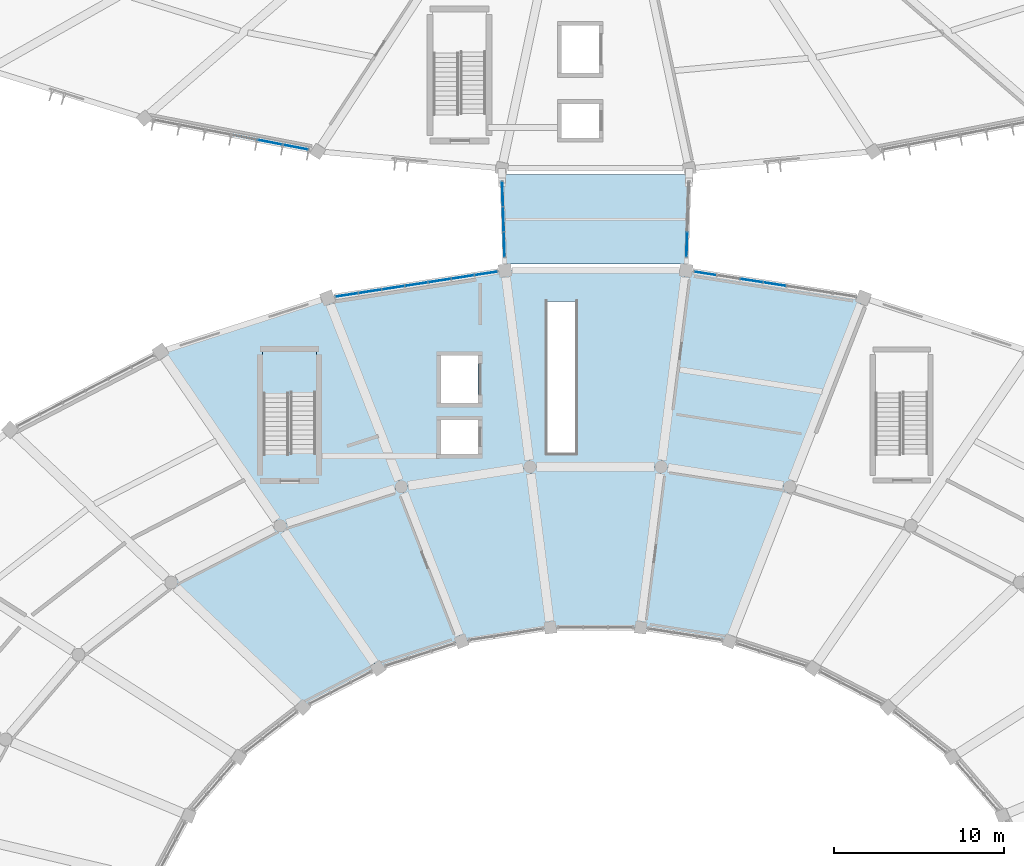
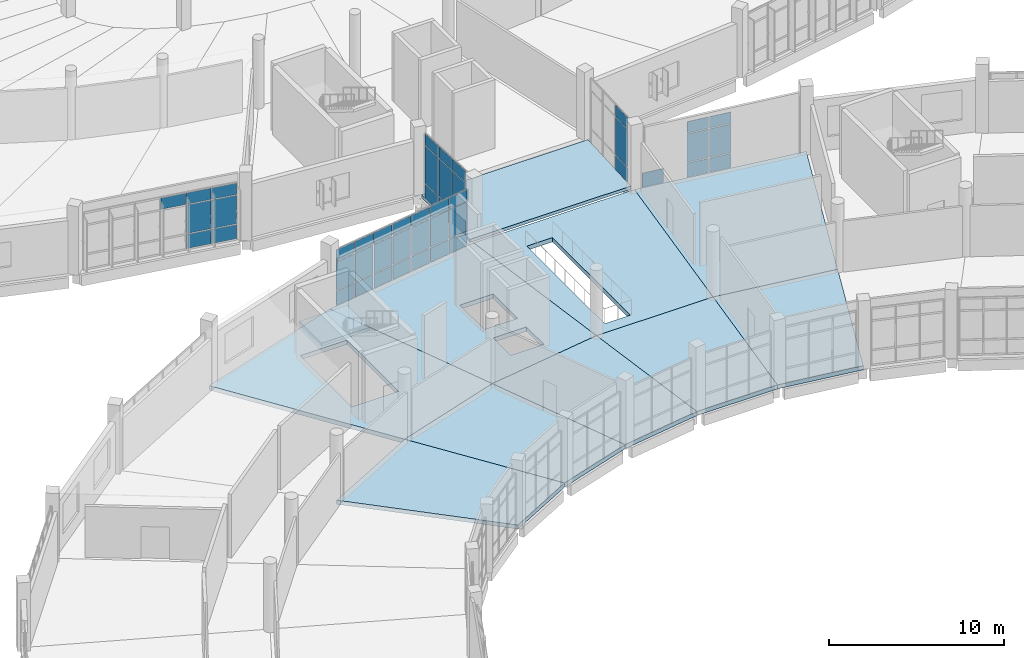
# One storey, part 93 of 179: 47 plates, 11 slabs, 6 elements without a shape of their own.
"""IFC4 building model written with IfcOpenShell, lengths in metres."""

from ifc_helpers import new_model, si_unit, direction, frame, origin, origin_2d, place, context, subcontext, project, spatial, polyline, rectangle, outline, extrude, material, layer, layer_set, type_object, element, aggregate, save


model = new_model("IFC4")

# Units and contexts
model_context = context("Model", 3, precision=1e-05, world=origin(), true_north=direction((0.0, 1.0)))
body_context = subcontext(model_context, "Body", "Model", "MODEL_VIEW")
ifc_project = project(units=[si_unit("LENGTHUNIT", "METRE"), si_unit("AREAUNIT", "SQUARE_METRE"), si_unit("VOLUMEUNIT", "CUBIC_METRE"), si_unit("PLANEANGLEUNIT", "RADIAN"), si_unit("MASSUNIT", "GRAM", prefix="KILO")], contexts=[model_context])

# Site, building, storey
site_placement = place(None, origin())
site = spatial("IfcSite", under=ifc_project, at=site_placement, CompositionType="ELEMENT")
building_placement = place(site_placement, origin())
building = spatial("IfcBuilding", under=site, at=building_placement, Name="Corvandel Quay Wholesale Market", CompositionType="ELEMENT")
storey_placement = place(building_placement, frame((0.0, 0.0, 6.0)))
storey = spatial("IfcBuildingStorey", under=building, at=storey_placement, Name="L01", CompositionType="ELEMENT", Elevation=6.0)

# Curtain wall, plates
ifc_material_1 = material(Name="Bronze anodised aluminium and low-E insulated glazing", Category="aluminium")
ifc_layer_1 = layer(ifc_material_1, 0.162109375)
ifc_layer_set_1 = layer_set([ifc_layer_1], Name="Bronze anodised aluminium and low-E insulated glazing")
curtain_wall_type_1 = type_object("IfcCurtainWallType", Name="Stick Curtain Wall System CW11 H3990", PredefinedType="NOTDEFINED", material=ifc_layer_set_1)
curtain_wall_1_placement = place(storey_placement, origin())
curtain_wall_1 = element("IfcCurtainWall", 1, at=curtain_wall_1_placement, inside=storey, type_object=curtain_wall_type_1, Name="Curtain Wall CW-0018", PredefinedType="NOTDEFINED")
ifc_material_2 = material(Name="Solar-control low-E insulated glazing", Category="glass")
ifc_layer_2 = layer(ifc_material_2, 0.0400390625)
ifc_layer_set_2 = layer_set([ifc_layer_2], Name="Solar-control low-E insulated glazing")
plate_type_1 = type_object("IfcPlateType", Name="Ceramic Fritted Spandrel Panel PN03 40mm", PredefinedType="CURTAIN_PANEL", material=ifc_layer_set_2)
plate_1_placement = place(storey_placement, frame((124.534912109375, 83.193115234375, 3.1298828125), z_axis=(0.0, 0.0, 1.0), x_axis=(-0.98825506746, 0.152813355565, 0.0)))
plate_1 = element("IfcPlate", 2, at=plate_1_placement, type_object=plate_type_1, Name="Glazing Panel CW-0018-P03-2", PredefinedType="CURTAIN_PANEL", context=body_context, shape_type="SweptSolid", body=[
    extrude(rectangle(XDim=1.314453125, YDim=0.0400390625, at=origin_2d()), origin(), (0.0, 0.0, 1.0), 0.7900390625),
])
plate_2_placement = place(storey_placement, frame((123.171875, 83.40380859375, 3.1298828125), z_axis=(0.0, 0.0, 1.0), x_axis=(-0.98825506746, 0.152813355565, 0.0)))
plate_2 = element("IfcPlate", 3, at=plate_2_placement, type_object=plate_type_1, Name="Glazing Panel CW-0018-P04-2", PredefinedType="CURTAIN_PANEL", context=body_context, shape_type="SweptSolid", body=[
    extrude(rectangle(XDim=1.314453125, YDim=0.0400390625, at=origin_2d()), origin(), (0.0, 0.0, 1.0), 0.7900390625),
])

ifc_layer_3 = layer(ifc_material_1, 0.18603515625)
ifc_layer_set_3 = layer_set([ifc_layer_3], Name="Bronze anodised aluminium and low-E insulated glazing")
curtain_wall_type_2 = type_object("IfcCurtainWallType", Name="Stick Curtain Wall System CW13 H4170", PredefinedType="NOTDEFINED", material=ifc_layer_set_3)
curtain_wall_2_placement = place(storey_placement, origin())
curtain_wall_2 = element("IfcCurtainWall", 4, at=curtain_wall_2_placement, inside=storey, type_object=curtain_wall_type_2, Name="Curtain Wall CW-0024", PredefinedType="NOTDEFINED")
plate_3_placement = place(storey_placement, frame((107.5546875, 83.82568359375, 3.1298828125), z_axis=(0.0, 0.0, 1.0), x_axis=(0.98825506746, 0.152813355565, 0.0)))
plate_3 = element("IfcPlate", 5, at=plate_3_placement, type_object=plate_type_1, Name="Glazing Panel CW-0024-P00-2", PredefinedType="CURTAIN_PANEL", context=body_context, shape_type="SweptSolid", body=[
    extrude(rectangle(XDim=1.314453125, YDim=0.0400390625, at=origin_2d()), origin(), (0.0, 0.0, 1.0), 0.7900390625),
])
plate_4_placement = place(storey_placement, frame((106.19140625, 83.61474609375, 3.1298828125), z_axis=(0.0, 0.0, 1.0), x_axis=(0.98825506746, 0.152813355565, 0.0)))
plate_4 = element("IfcPlate", 6, at=plate_4_placement, type_object=plate_type_1, Name="Glazing Panel CW-0024-P01-2", PredefinedType="CURTAIN_PANEL", context=body_context, shape_type="SweptSolid", body=[
    extrude(rectangle(XDim=1.314453125, YDim=0.0400390625, at=origin_2d()), origin(), (0.0, 0.0, 1.0), 0.7900390625),
])
plate_5_placement = place(storey_placement, frame((104.828125, 83.40380859375, 3.1298828125), z_axis=(0.0, 0.0, 1.0), x_axis=(0.98825506746, 0.152813355565, 0.0)))
plate_5 = element("IfcPlate", 7, at=plate_5_placement, type_object=plate_type_1, Name="Glazing Panel CW-0024-P02-2", PredefinedType="CURTAIN_PANEL", context=body_context, shape_type="SweptSolid", body=[
    extrude(rectangle(XDim=1.314453125, YDim=0.0400390625, at=origin_2d()), origin(), (0.0, 0.0, 1.0), 0.7900390625),
])
plate_6_placement = place(storey_placement, frame((103.465087890625, 83.193115234375, 3.1298828125), z_axis=(0.0, 0.0, 1.0), x_axis=(0.98825506746, 0.152813355565, 0.0)))
plate_6 = element("IfcPlate", 8, at=plate_6_placement, type_object=plate_type_1, Name="Glazing Panel CW-0024-P03-2", PredefinedType="CURTAIN_PANEL", context=body_context, shape_type="SweptSolid", body=[
    extrude(rectangle(XDim=1.314453125, YDim=0.0400390625, at=origin_2d()), origin(), (0.0, 0.0, 1.0), 0.7900390625),
])
plate_7_placement = place(storey_placement, frame((102.101806640625, 82.982177734375, 3.1298828125), z_axis=(0.0, 0.0, 1.0), x_axis=(0.98825506746, 0.152813355565, 0.0)))
plate_7 = element("IfcPlate", 9, at=plate_7_placement, type_object=plate_type_1, Name="Glazing Panel CW-0024-P04-2", PredefinedType="CURTAIN_PANEL", context=body_context, shape_type="SweptSolid", body=[
    extrude(rectangle(XDim=1.314453125, YDim=0.0400390625, at=origin_2d()), origin(), (0.0, 0.0, 1.0), 0.7900390625),
])
plate_8_placement = place(storey_placement, frame((100.738525390625, 82.771240234375, 3.1298828125), z_axis=(0.0, 0.0, 1.0), x_axis=(0.98825506746, 0.152813355565, 0.0)))
plate_8 = element("IfcPlate", 10, at=plate_8_placement, type_object=plate_type_1, Name="Glazing Panel CW-0024-P05-2", PredefinedType="CURTAIN_PANEL", context=body_context, shape_type="SweptSolid", body=[
    extrude(rectangle(XDim=1.314453125, YDim=0.0400390625, at=origin_2d()), origin(), (0.0, 0.0, 1.0), 0.7900390625),
])
plate_9_placement = place(storey_placement, frame((99.375244140625, 82.560302734375, 3.1298828125), z_axis=(0.0, 0.0, 1.0), x_axis=(0.98825506746, 0.152813355565, 0.0)))
plate_9 = element("IfcPlate", 11, at=plate_9_placement, type_object=plate_type_1, Name="Glazing Panel CW-0024-P06-2", PredefinedType="CURTAIN_PANEL", context=body_context, shape_type="SweptSolid", body=[
    extrude(rectangle(XDim=1.314453125, YDim=0.0400390625, at=origin_2d()), origin(), (0.0, 0.0, 1.0), 0.7900390625),
])

ifc_layer_4 = layer(ifc_material_1, 0.18603515625)
ifc_layer_set_4 = layer_set([ifc_layer_4], Name="Bronze anodised aluminium and low-E insulated glazing")
curtain_wall_type_3 = type_object("IfcCurtainWallType", Name="Stick Curtain Wall System CW28 H5520", PredefinedType="NOTDEFINED", material=ifc_layer_set_4)
curtain_wall_3_placement = place(storey_placement, origin())
curtain_wall_3 = element("IfcCurtainWall", 12, at=curtain_wall_3_placement, inside=storey, type_object=curtain_wall_type_3, Name="Curtain Wall CW-0109", PredefinedType="NOTDEFINED")
plate_10_placement = place(storey_placement, frame((93.330322265625, 91.832763671875, 3.1298828125), z_axis=(0.0, 0.0, 1.0), x_axis=(-0.981991701121, 0.188924055984, 0.0)))
plate_10 = element("IfcPlate", 13, at=plate_10_placement, type_object=plate_type_1, Name="Glazing Panel CW-0109-P03-2", PredefinedType="CURTAIN_PANEL", context=body_context, shape_type="SweptSolid", body=[
    extrude(rectangle(XDim=1.484619140625, YDim=0.0400390625, at=origin_2d()), origin(), (0.0, 0.0, 1.0), 0.7900390625),
])
plate_11_placement = place(storey_placement, frame((94.85205078125, 91.5400390625, 3.1298828125), z_axis=(0.0, 0.0, 1.0), x_axis=(-0.981991701121, 0.188924055984, 0.0)))
plate_11 = element("IfcPlate", 14, at=plate_11_placement, type_object=plate_type_1, Name="Glazing Panel CW-0109-P04-2", PredefinedType="CURTAIN_PANEL", context=body_context, shape_type="SweptSolid", body=[
    extrude(rectangle(XDim=1.484619140625, YDim=0.0400390625, at=origin_2d()), origin(), (0.0, 0.0, 1.0), 0.7900390625),
])
plate_12_placement = place(storey_placement, frame((96.373779296875, 91.247314453125, 3.1298828125), z_axis=(0.0, 0.0, 1.0), x_axis=(-0.981991701121, 0.188924055984, 0.0)))
plate_12 = element("IfcPlate", 15, at=plate_12_placement, type_object=plate_type_1, Name="Glazing Panel CW-0109-P05-2", PredefinedType="CURTAIN_PANEL", context=body_context, shape_type="SweptSolid", body=[
    extrude(rectangle(XDim=1.484619140625, YDim=0.0400390625, at=origin_2d()), origin(), (0.0, 0.0, 1.0), 0.7900390625),
])

ifc_layer_5 = layer(ifc_material_1, 0.162109375)
ifc_layer_set_5 = layer_set([ifc_layer_5], Name="Bronze anodised aluminium and low-E insulated glazing")
curtain_wall_type_4 = type_object("IfcCurtainWallType", Name="Stick Curtain Wall System CW21 H4890", PredefinedType="NOTDEFINED", material=ifc_layer_set_5)
curtain_wall_4_placement = place(storey_placement, origin())
curtain_wall_4 = element("IfcCurtainWall", 16, at=curtain_wall_4_placement, inside=storey, type_object=curtain_wall_type_4, Name="Curtain Wall CW-0168", PredefinedType="NOTDEFINED")
plate_13_placement = place(storey_placement, frame((108.630859375, 85.530517578125, 3.7275390625), z_axis=(0.0, 0.0, 1.0), x_axis=(-0.032806302436, 0.999461728392, 0.0)))
plate_13 = element("IfcPlate", 17, at=plate_13_placement, type_object=plate_type_1, Name="Glazing Panel CW-0168-P00-2", PredefinedType="CURTAIN_PANEL", context=body_context, shape_type="SweptSolid", body=[
    extrude(rectangle(XDim=1.422607421875, YDim=0.0400390625, at=origin_2d()), origin(), (0.0, 0.0, 1.0), 0.794921875),
])
plate_14_placement = place(storey_placement, frame((108.58203125, 87.012451171875, 3.7275390625), z_axis=(0.0, 0.0, 1.0), x_axis=(-0.032806302436, 0.999461728392, 0.0)))
plate_14 = element("IfcPlate", 18, at=plate_14_placement, type_object=plate_type_1, Name="Glazing Panel CW-0168-P01-2", PredefinedType="CURTAIN_PANEL", context=body_context, shape_type="SweptSolid", body=[
    extrude(rectangle(XDim=1.422607421875, YDim=0.0400390625, at=origin_2d()), origin(), (0.0, 0.0, 1.0), 0.794921875),
])
plate_15_placement = place(storey_placement, frame((108.533447265625, 88.494384765625, 3.7275390625), z_axis=(0.0, 0.0, 1.0), x_axis=(-0.032806302436, 0.999461728392, 0.0)))
plate_15 = element("IfcPlate", 19, at=plate_15_placement, type_object=plate_type_1, Name="Glazing Panel CW-0168-P02-2", PredefinedType="CURTAIN_PANEL", context=body_context, shape_type="SweptSolid", body=[
    extrude(rectangle(XDim=1.422607421875, YDim=0.0400390625, at=origin_2d()), origin(), (0.0, 0.0, 1.0), 0.794921875),
])

# Curtain wall, plate
ifc_layer_6 = layer(ifc_material_1, 0.174072265625)
ifc_layer_set_6 = layer_set([ifc_layer_6], Name="Bronze anodised aluminium and low-E insulated glazing")
curtain_wall_type_5 = type_object("IfcCurtainWallType", Name="Stick Curtain Wall System CW22 H4980", PredefinedType="NOTDEFINED", material=ifc_layer_set_6)
curtain_wall_5_placement = place(storey_placement, origin())
curtain_wall_5 = element("IfcCurtainWall", 20, at=curtain_wall_5_placement, inside=storey, type_object=curtain_wall_type_5, Name="Curtain Wall CW-0169", PredefinedType="NOTDEFINED")
plate_16_placement = place(storey_placement, frame((119.369140625, 85.530517578125, 3.7275390625), z_axis=(0.0, 0.0, 1.0), x_axis=(0.032806302436, 0.999461728392, 0.0)))
plate_16 = element("IfcPlate", 21, at=plate_16_placement, type_object=plate_type_1, Name="Glazing Panel CW-0169-P00-2", PredefinedType="CURTAIN_PANEL", context=body_context, shape_type="SweptSolid", body=[
    extrude(rectangle(XDim=1.422607421875, YDim=0.0400390625, at=origin_2d()), origin(), (0.0, 0.0, 1.0), 0.794921875),
])

# Slabs
ifc_material_3 = material(Name="Precast concrete C45/55", Category="concrete")
ifc_layer_7 = layer(ifc_material_3, 0.219970703125)
ifc_layer_set_7 = layer_set([ifc_layer_7], Name="Precast concrete C45/55")
slab_type_1 = type_object("IfcSlabType", Name="Composite Precast Office Floor Slab 220", PredefinedType="FLOOR", material=ifc_layer_set_7)
slab_1_placement = place(storey_placement, frame((0.0, 0.0, -0.219970703125)))
element("IfcSlab", 22, at=slab_1_placement, inside=storey, type_object=slab_type_1, Name="Slab SLB-0475", PredefinedType="FLOOR", context=body_context, shape_type="SweptSolid", body=[
    extrude(outline(polyline([(108.66796875, 84.389892578125), (108.49609375, 89.635009765625), (119.50390625, 89.635009765625), (119.33203125, 84.389892578125), (108.66796875, 84.389892578125)])), origin(), (0.0, 0.0, 1.0), 0.219970703125),
])
ifc_material_4 = material(Name="Concrete C40/50", Category="concrete")
ifc_layer_8 = layer(ifc_material_4, 0.280029296875)
ifc_layer_set_8 = layer_set([ifc_layer_8], Name="Concrete C40/50")
slab_type_2 = type_object("IfcSlabType", Name="Composite Sorting Gallery Floor Slab 280", PredefinedType="FLOOR", material=ifc_layer_set_8)
slab_2_placement = place(storey_placement, frame((0.0, 0.0, -0.280029296875)))
element("IfcSlab", 23, at=slab_2_placement, inside=storey, type_object=slab_type_2, Name="Slab SLB-0035", PredefinedType="FLOOR", context=body_context, shape_type="SweptSolid", body=[
    extrude(outline(polyline([(121.8759765625, 62.193115234375), (116.658935546875, 63.0), (117.85595703125, 72.449951171875), (125.419921875, 71.280029296875), (121.8759765625, 62.193115234375)])), origin(), (0.0, 0.0, 1.0), 0.280029296875),
])
slab_3_placement = place(storey_placement, frame((0.0, 0.0, -0.280029296875)))
element("IfcSlab", 24, at=slab_3_placement, inside=storey, type_object=slab_type_2, Name="Slab SLB-0040", PredefinedType="FLOOR", context=body_context, shape_type="SweptSolid", body=[
    extrude(outline(polyline([(116.658935546875, 63.0), (111.341064453125, 63.0), (110.14404296875, 72.449951171875), (117.85595703125, 72.449951171875), (116.658935546875, 63.0)])), origin(), (0.0, 0.0, 1.0), 0.280029296875),
])
slab_4_placement = place(storey_placement, frame((0.0, 0.0, -0.280029296875)))
element("IfcSlab", 25, at=slab_4_placement, inside=storey, type_object=slab_type_2, Name="Slab SLB-0045", PredefinedType="FLOOR", context=body_context, shape_type="SweptSolid", body=[
    extrude(outline(polyline([(111.341064453125, 63.0), (106.1240234375, 62.193115234375), (102.580078125, 71.280029296875), (110.14404296875, 72.449951171875), (111.341064453125, 63.0)])), origin(), (0.0, 0.0, 1.0), 0.280029296875),
])
slab_5_placement = place(storey_placement, frame((0.0, 0.0, -0.280029296875)))
element("IfcSlab", 26, at=slab_5_placement, inside=storey, type_object=slab_type_2, Name="Slab SLB-0050", PredefinedType="FLOOR", context=body_context, shape_type="SweptSolid", body=[
    extrude(outline(polyline([(106.1240234375, 62.193115234375), (101.2109375, 60.610107421875), (95.4560546875, 68.98388671875), (102.580078125, 71.280029296875), (106.1240234375, 62.193115234375)])), origin(), (0.0, 0.0, 1.0), 0.280029296875),
])
slab_6_placement = place(storey_placement, frame((0.0, 0.0, -0.280029296875)))
element("IfcSlab", 27, at=slab_6_placement, inside=storey, type_object=slab_type_2, Name="Slab SLB-0055", PredefinedType="FLOOR", context=body_context, shape_type="SweptSolid", body=[
    extrude(outline(polyline([(101.2109375, 60.610107421875), (96.7890625, 58.31201171875), (89.04296875, 65.652099609375), (95.4560546875, 68.98388671875), (101.2109375, 60.610107421875)])), origin(), (0.0, 0.0, 1.0), 0.280029296875),
])
ifc_layer_9 = layer(ifc_material_4, 0.300048828125)
ifc_layer_set_9 = layer_set([ifc_layer_9], Name="Concrete C40/50")
slab_type_3 = type_object("IfcSlabType", Name="Composite Trading Gallery Floor Slab 300", PredefinedType="FLOOR", material=ifc_layer_set_9)
slab_7_placement = place(storey_placement, frame((0.0, 0.0, -0.300048828125)))
element("IfcSlab", 28, at=slab_7_placement, inside=storey, type_object=slab_type_3, Name="Slab SLB-0034", PredefinedType="FLOOR", context=body_context, shape_type="SweptSolid", body=[
    extrude(outline(polyline([(125.419921875, 71.280029296875), (117.85595703125, 72.449951171875), (119.319091796875, 84.0), (129.7509765625, 82.385986328125), (125.419921875, 71.280029296875)])), origin(), (0.0, 0.0, 1.0), 0.300048828125),
])
slab_8_placement = place(storey_placement, frame((0.0, 0.0, -0.300048828125)))
element("IfcSlab", 29, at=slab_8_placement, inside=storey, type_object=slab_type_3, Name="Slab SLB-0039", PredefinedType="FLOOR", context=body_context, shape_type="SweptSolid", body=[
    extrude(outline(polyline([(117.85595703125, 72.449951171875), (110.14404296875, 72.449951171875), (108.680908203125, 84.0), (119.319091796875, 84.0), (117.85595703125, 72.449951171875)]), holes=[polyline([(112.85009765625, 73.25), (112.85009765625, 82.179931640625), (111.14990234375, 82.179931640625), (111.14990234375, 73.25), (112.85009765625, 73.25)])]), origin(), (0.0, 0.0, 1.0), 0.300048828125),
])
slab_9_placement = place(storey_placement, frame((0.0, 0.0, -0.300048828125)))
element("IfcSlab", 30, at=slab_9_placement, inside=storey, type_object=slab_type_3, Name="Slab SLB-0044", PredefinedType="FLOOR", context=body_context, shape_type="SweptSolid", body=[
    extrude(outline(polyline([(110.14404296875, 72.449951171875), (102.580078125, 71.280029296875), (98.2490234375, 82.385986328125), (108.680908203125, 84.0), (110.14404296875, 72.449951171875)]), holes=[polyline([(107.10009765625, 73.199951171875), (107.10009765625, 75.199951171875), (104.89990234375, 75.199951171875), (104.89990234375, 73.199951171875), (107.10009765625, 73.199951171875)]), polyline([(107.10009765625, 76.199951171875), (107.10009765625, 79.0), (104.89990234375, 79.0), (104.89990234375, 76.199951171875), (107.10009765625, 76.199951171875)])]), origin(), (0.0, 0.0, 1.0), 0.300048828125),
])
slab_10_placement = place(storey_placement, frame((0.0, 0.0, -0.300048828125)))
element("IfcSlab", 31, at=slab_10_placement, inside=storey, type_object=slab_type_3, Name="Slab SLB-0049", PredefinedType="FLOOR", context=body_context, shape_type="SweptSolid", body=[
    extrude(outline(polyline([(102.580078125, 71.280029296875), (95.4560546875, 68.98388671875), (88.4208984375, 79.219970703125), (98.2490234375, 82.385986328125), (102.580078125, 71.280029296875)]), holes=[polyline([(97.550048828125, 73.300048828125), (97.550048828125, 79.199951171875), (94.449951171875, 79.199951171875), (94.449951171875, 73.300048828125), (97.550048828125, 73.300048828125)])]), origin(), (0.0, 0.0, 1.0), 0.300048828125),
])

# Plate
ifc_layer_10 = layer(ifc_material_2, 0.028076171875)
ifc_layer_set_10 = layer_set([ifc_layer_10], Name="Solar-control low-E insulated glazing")
plate_type_2 = type_object("IfcPlateType", Name="Double Low-E Vision Panel PN01 28mm", PredefinedType="CURTAIN_PANEL", material=ifc_layer_set_10)
plate_17_placement = place(storey_placement, frame((124.534912109375, 83.193115234375, 0.02978515625), z_axis=(0.0, 0.0, 1.0), x_axis=(-0.98825506746, 0.152813355565, 0.0)))
plate_17 = element("IfcPlate", 32, at=plate_17_placement, type_object=plate_type_2, Name="Glazing Panel CW-0018-P03-0", PredefinedType="CURTAIN_PANEL", context=body_context, shape_type="SweptSolid", body=[
    extrude(rectangle(XDim=1.314453125, YDim=0.028076171875, at=origin_2d()), origin(), (0.0, 0.0, 1.0), 0.989990234375),
])

plate_18_placement = place(storey_placement, frame((124.534912109375, 83.193115234375, 1.080078125), z_axis=(0.0, 0.0, 1.0), x_axis=(-0.98825506746, 0.152813355565, 0.0)))
plate_18 = element("IfcPlate", 33, at=plate_18_placement, type_object=plate_type_2, Name="Glazing Panel CW-0018-P03-1", PredefinedType="CURTAIN_PANEL", context=body_context, shape_type="SweptSolid", body=[
    extrude(rectangle(XDim=1.314453125, YDim=0.028076171875, at=origin_2d()), origin(), (0.0, 0.0, 1.0), 1.989990234375),
])

plate_19_placement = place(storey_placement, frame((123.171875, 83.40380859375, 0.02978515625), z_axis=(0.0, 0.0, 1.0), x_axis=(-0.98825506746, 0.152813355565, 0.0)))
plate_19 = element("IfcPlate", 34, at=plate_19_placement, type_object=plate_type_2, Name="Glazing Panel CW-0018-P04-0", PredefinedType="CURTAIN_PANEL", context=body_context, shape_type="SweptSolid", body=[
    extrude(rectangle(XDim=1.314453125, YDim=0.028076171875, at=origin_2d()), origin(), (0.0, 0.0, 1.0), 0.989990234375),
])

plate_20_placement = place(storey_placement, frame((123.171875, 83.40380859375, 1.080078125), z_axis=(0.0, 0.0, 1.0), x_axis=(-0.98825506746, 0.152813355565, 0.0)))
plate_20 = element("IfcPlate", 35, at=plate_20_placement, type_object=plate_type_2, Name="Glazing Panel CW-0018-P04-1", PredefinedType="CURTAIN_PANEL", context=body_context, shape_type="SweptSolid", body=[
    extrude(rectangle(XDim=1.314453125, YDim=0.028076171875, at=origin_2d()), origin(), (0.0, 0.0, 1.0), 1.989990234375),
])

plate_21_placement = place(storey_placement, frame((120.4453125, 83.82568359375, 0.02978515625), z_axis=(0.0, 0.0, 1.0), x_axis=(-0.98825506746, 0.152813355565, 0.0)))
plate_21 = element("IfcPlate", 36, at=plate_21_placement, type_object=plate_type_2, Name="Glazing Panel CW-0018-P06-0", PredefinedType="CURTAIN_PANEL", context=body_context, shape_type="SweptSolid", body=[
    extrude(rectangle(XDim=1.314453125, YDim=0.028076171875, at=origin_2d()), origin(), (0.0, 0.0, 1.0), 0.989990234375),
])

aggregate(curtain_wall_1, [plate_17, plate_18, plate_1, plate_19, plate_20, plate_2, plate_21])

plate_22_placement = place(storey_placement, frame((107.5546875, 83.82568359375, 0.02978515625), z_axis=(0.0, 0.0, 1.0), x_axis=(0.98825506746, 0.152813355565, 0.0)))
plate_22 = element("IfcPlate", 37, at=plate_22_placement, type_object=plate_type_2, Name="Glazing Panel CW-0024-P00-0", PredefinedType="CURTAIN_PANEL", context=body_context, shape_type="SweptSolid", body=[
    extrude(rectangle(XDim=1.314453125, YDim=0.028076171875, at=origin_2d()), origin(), (0.0, 0.0, 1.0), 0.989990234375),
])

plate_23_placement = place(storey_placement, frame((107.5546875, 83.82568359375, 1.080078125), z_axis=(0.0, 0.0, 1.0), x_axis=(0.98825506746, 0.152813355565, 0.0)))
plate_23 = element("IfcPlate", 38, at=plate_23_placement, type_object=plate_type_2, Name="Glazing Panel CW-0024-P00-1", PredefinedType="CURTAIN_PANEL", context=body_context, shape_type="SweptSolid", body=[
    extrude(rectangle(XDim=1.314453125, YDim=0.028076171875, at=origin_2d()), origin(), (0.0, 0.0, 1.0), 1.989990234375),
])

plate_24_placement = place(storey_placement, frame((106.19140625, 83.61474609375, 0.02978515625), z_axis=(0.0, 0.0, 1.0), x_axis=(0.98825506746, 0.152813355565, 0.0)))
plate_24 = element("IfcPlate", 39, at=plate_24_placement, type_object=plate_type_2, Name="Glazing Panel CW-0024-P01-0", PredefinedType="CURTAIN_PANEL", context=body_context, shape_type="SweptSolid", body=[
    extrude(rectangle(XDim=1.314453125, YDim=0.028076171875, at=origin_2d()), origin(), (0.0, 0.0, 1.0), 0.989990234375),
])

plate_25_placement = place(storey_placement, frame((106.19140625, 83.61474609375, 1.080078125), z_axis=(0.0, 0.0, 1.0), x_axis=(0.98825506746, 0.152813355565, 0.0)))
plate_25 = element("IfcPlate", 40, at=plate_25_placement, type_object=plate_type_2, Name="Glazing Panel CW-0024-P01-1", PredefinedType="CURTAIN_PANEL", context=body_context, shape_type="SweptSolid", body=[
    extrude(rectangle(XDim=1.314453125, YDim=0.028076171875, at=origin_2d()), origin(), (0.0, 0.0, 1.0), 1.989990234375),
])

plate_26_placement = place(storey_placement, frame((104.828125, 83.40380859375, 0.02978515625), z_axis=(0.0, 0.0, 1.0), x_axis=(0.98825506746, 0.152813355565, 0.0)))
plate_26 = element("IfcPlate", 41, at=plate_26_placement, type_object=plate_type_2, Name="Glazing Panel CW-0024-P02-0", PredefinedType="CURTAIN_PANEL", context=body_context, shape_type="SweptSolid", body=[
    extrude(rectangle(XDim=1.314453125, YDim=0.028076171875, at=origin_2d()), origin(), (0.0, 0.0, 1.0), 0.989990234375),
])

plate_27_placement = place(storey_placement, frame((104.828125, 83.40380859375, 1.080078125), z_axis=(0.0, 0.0, 1.0), x_axis=(0.98825506746, 0.152813355565, 0.0)))
plate_27 = element("IfcPlate", 42, at=plate_27_placement, type_object=plate_type_2, Name="Glazing Panel CW-0024-P02-1", PredefinedType="CURTAIN_PANEL", context=body_context, shape_type="SweptSolid", body=[
    extrude(rectangle(XDim=1.314453125, YDim=0.028076171875, at=origin_2d()), origin(), (0.0, 0.0, 1.0), 1.989990234375),
])

plate_28_placement = place(storey_placement, frame((103.465087890625, 83.193115234375, 0.02978515625), z_axis=(0.0, 0.0, 1.0), x_axis=(0.98825506746, 0.152813355565, 0.0)))
plate_28 = element("IfcPlate", 43, at=plate_28_placement, type_object=plate_type_2, Name="Glazing Panel CW-0024-P03-0", PredefinedType="CURTAIN_PANEL", context=body_context, shape_type="SweptSolid", body=[
    extrude(rectangle(XDim=1.314453125, YDim=0.028076171875, at=origin_2d()), origin(), (0.0, 0.0, 1.0), 0.989990234375),
])

plate_29_placement = place(storey_placement, frame((103.465087890625, 83.193115234375, 1.080078125), z_axis=(0.0, 0.0, 1.0), x_axis=(0.98825506746, 0.152813355565, 0.0)))
plate_29 = element("IfcPlate", 44, at=plate_29_placement, type_object=plate_type_2, Name="Glazing Panel CW-0024-P03-1", PredefinedType="CURTAIN_PANEL", context=body_context, shape_type="SweptSolid", body=[
    extrude(rectangle(XDim=1.314453125, YDim=0.028076171875, at=origin_2d()), origin(), (0.0, 0.0, 1.0), 1.989990234375),
])

plate_30_placement = place(storey_placement, frame((102.101806640625, 82.982177734375, 0.02978515625), z_axis=(0.0, 0.0, 1.0), x_axis=(0.98825506746, 0.152813355565, 0.0)))
plate_30 = element("IfcPlate", 45, at=plate_30_placement, type_object=plate_type_2, Name="Glazing Panel CW-0024-P04-0", PredefinedType="CURTAIN_PANEL", context=body_context, shape_type="SweptSolid", body=[
    extrude(rectangle(XDim=1.314453125, YDim=0.028076171875, at=origin_2d()), origin(), (0.0, 0.0, 1.0), 0.989990234375),
])

plate_31_placement = place(storey_placement, frame((102.101806640625, 82.982177734375, 1.080078125), z_axis=(0.0, 0.0, 1.0), x_axis=(0.98825506746, 0.152813355565, 0.0)))
plate_31 = element("IfcPlate", 46, at=plate_31_placement, type_object=plate_type_2, Name="Glazing Panel CW-0024-P04-1", PredefinedType="CURTAIN_PANEL", context=body_context, shape_type="SweptSolid", body=[
    extrude(rectangle(XDim=1.314453125, YDim=0.028076171875, at=origin_2d()), origin(), (0.0, 0.0, 1.0), 1.989990234375),
])

plate_32_placement = place(storey_placement, frame((100.738525390625, 82.771240234375, 0.02978515625), z_axis=(0.0, 0.0, 1.0), x_axis=(0.98825506746, 0.152813355565, 0.0)))
plate_32 = element("IfcPlate", 47, at=plate_32_placement, type_object=plate_type_2, Name="Glazing Panel CW-0024-P05-0", PredefinedType="CURTAIN_PANEL", context=body_context, shape_type="SweptSolid", body=[
    extrude(rectangle(XDim=1.314453125, YDim=0.028076171875, at=origin_2d()), origin(), (0.0, 0.0, 1.0), 0.989990234375),
])

plate_33_placement = place(storey_placement, frame((100.738525390625, 82.771240234375, 1.080078125), z_axis=(0.0, 0.0, 1.0), x_axis=(0.98825506746, 0.152813355565, 0.0)))
plate_33 = element("IfcPlate", 48, at=plate_33_placement, type_object=plate_type_2, Name="Glazing Panel CW-0024-P05-1", PredefinedType="CURTAIN_PANEL", context=body_context, shape_type="SweptSolid", body=[
    extrude(rectangle(XDim=1.314453125, YDim=0.028076171875, at=origin_2d()), origin(), (0.0, 0.0, 1.0), 1.989990234375),
])

plate_34_placement = place(storey_placement, frame((99.375244140625, 82.560302734375, 0.02978515625), z_axis=(0.0, 0.0, 1.0), x_axis=(0.98825506746, 0.152813355565, 0.0)))
plate_34 = element("IfcPlate", 49, at=plate_34_placement, type_object=plate_type_2, Name="Glazing Panel CW-0024-P06-0", PredefinedType="CURTAIN_PANEL", context=body_context, shape_type="SweptSolid", body=[
    extrude(rectangle(XDim=1.314453125, YDim=0.028076171875, at=origin_2d()), origin(), (0.0, 0.0, 1.0), 0.989990234375),
])

plate_35_placement = place(storey_placement, frame((99.375244140625, 82.560302734375, 1.080078125), z_axis=(0.0, 0.0, 1.0), x_axis=(0.98825506746, 0.152813355565, 0.0)))
plate_35 = element("IfcPlate", 50, at=plate_35_placement, type_object=plate_type_2, Name="Glazing Panel CW-0024-P06-1", PredefinedType="CURTAIN_PANEL", context=body_context, shape_type="SweptSolid", body=[
    extrude(rectangle(XDim=1.314453125, YDim=0.028076171875, at=origin_2d()), origin(), (0.0, 0.0, 1.0), 1.989990234375),
])

aggregate(curtain_wall_2, [plate_22, plate_23, plate_3, plate_24, plate_25, plate_4, plate_26, plate_27, plate_5, plate_28, plate_29, plate_6, plate_30, plate_31, plate_7, plate_32, plate_33, plate_8, plate_34, plate_35, plate_9])

plate_36_placement = place(storey_placement, frame((94.85205078125, 91.5400390625, 0.02978515625), z_axis=(0.0, 0.0, 1.0), x_axis=(-0.981991701121, 0.188924055984, 0.0)))
plate_36 = element("IfcPlate", 51, at=plate_36_placement, type_object=plate_type_2, Name="Glazing Panel CW-0109-P04-0", PredefinedType="CURTAIN_PANEL", context=body_context, shape_type="SweptSolid", body=[
    extrude(rectangle(XDim=1.484619140625, YDim=0.028076171875, at=origin_2d()), origin(), (0.0, 0.0, 1.0), 0.989990234375),
])

plate_37_placement = place(storey_placement, frame((94.85205078125, 91.5400390625, 1.080078125), z_axis=(0.0, 0.0, 1.0), x_axis=(-0.981991701121, 0.188924055984, 0.0)))
plate_37 = element("IfcPlate", 52, at=plate_37_placement, type_object=plate_type_2, Name="Glazing Panel CW-0109-P04-1", PredefinedType="CURTAIN_PANEL", context=body_context, shape_type="SweptSolid", body=[
    extrude(rectangle(XDim=1.484619140625, YDim=0.028076171875, at=origin_2d()), origin(), (0.0, 0.0, 1.0), 1.989990234375),
])

plate_38_placement = place(storey_placement, frame((96.373779296875, 91.247314453125, 0.02978515625), z_axis=(0.0, 0.0, 1.0), x_axis=(-0.981991701121, 0.188924055984, 0.0)))
plate_38 = element("IfcPlate", 53, at=plate_38_placement, type_object=plate_type_2, Name="Glazing Panel CW-0109-P05-0", PredefinedType="CURTAIN_PANEL", context=body_context, shape_type="SweptSolid", body=[
    extrude(rectangle(XDim=1.484619140625, YDim=0.028076171875, at=origin_2d()), origin(), (0.0, 0.0, 1.0), 0.989990234375),
])

plate_39_placement = place(storey_placement, frame((96.373779296875, 91.247314453125, 1.080078125), z_axis=(0.0, 0.0, 1.0), x_axis=(-0.981991701121, 0.188924055984, 0.0)))
plate_39 = element("IfcPlate", 54, at=plate_39_placement, type_object=plate_type_2, Name="Glazing Panel CW-0109-P05-1", PredefinedType="CURTAIN_PANEL", context=body_context, shape_type="SweptSolid", body=[
    extrude(rectangle(XDim=1.484619140625, YDim=0.028076171875, at=origin_2d()), origin(), (0.0, 0.0, 1.0), 1.989990234375),
])

aggregate(curtain_wall_3, [plate_10, plate_36, plate_37, plate_11, plate_38, plate_39, plate_12])

plate_40_placement = place(storey_placement, frame((108.630859375, 85.530517578125, -0.00244140625), z_axis=(0.0, 0.0, 1.0), x_axis=(-0.032806302436, 0.999461728392, 0.0)))
plate_40 = element("IfcPlate", 55, at=plate_40_placement, type_object=plate_type_2, Name="Glazing Panel CW-0168-P00-0", PredefinedType="CURTAIN_PANEL", context=body_context, shape_type="SweptSolid", body=[
    extrude(rectangle(XDim=1.422607421875, YDim=0.028076171875, at=origin_2d()), origin(), (0.0, 0.0, 1.0), 0.9951171875),
])

plate_41_placement = place(storey_placement, frame((108.630859375, 85.530517578125, 1.047607421875), z_axis=(0.0, 0.0, 1.0), x_axis=(-0.032806302436, 0.999461728392, 0.0)))
plate_41 = element("IfcPlate", 56, at=plate_41_placement, type_object=plate_type_2, Name="Glazing Panel CW-0168-P00-1", PredefinedType="CURTAIN_PANEL", context=body_context, shape_type="SweptSolid", body=[
    extrude(rectangle(XDim=1.422607421875, YDim=0.028076171875, at=origin_2d()), origin(), (0.0, 0.0, 1.0), 2.625),
])

plate_42_placement = place(storey_placement, frame((108.58203125, 87.012451171875, -0.00244140625), z_axis=(0.0, 0.0, 1.0), x_axis=(-0.032806302436, 0.999461728392, 0.0)))
plate_42 = element("IfcPlate", 57, at=plate_42_placement, type_object=plate_type_2, Name="Glazing Panel CW-0168-P01-0", PredefinedType="CURTAIN_PANEL", context=body_context, shape_type="SweptSolid", body=[
    extrude(rectangle(XDim=1.422607421875, YDim=0.028076171875, at=origin_2d()), origin(), (0.0, 0.0, 1.0), 0.9951171875),
])

plate_43_placement = place(storey_placement, frame((108.58203125, 87.012451171875, 1.047607421875), z_axis=(0.0, 0.0, 1.0), x_axis=(-0.032806302436, 0.999461728392, 0.0)))
plate_43 = element("IfcPlate", 58, at=plate_43_placement, type_object=plate_type_2, Name="Glazing Panel CW-0168-P01-1", PredefinedType="CURTAIN_PANEL", context=body_context, shape_type="SweptSolid", body=[
    extrude(rectangle(XDim=1.422607421875, YDim=0.028076171875, at=origin_2d()), origin(), (0.0, 0.0, 1.0), 2.625),
])

plate_44_placement = place(storey_placement, frame((108.533447265625, 88.494384765625, -0.00244140625), z_axis=(0.0, 0.0, 1.0), x_axis=(-0.032806302436, 0.999461728392, 0.0)))
plate_44 = element("IfcPlate", 59, at=plate_44_placement, type_object=plate_type_2, Name="Glazing Panel CW-0168-P02-0", PredefinedType="CURTAIN_PANEL", context=body_context, shape_type="SweptSolid", body=[
    extrude(rectangle(XDim=1.422607421875, YDim=0.028076171875, at=origin_2d()), origin(), (0.0, 0.0, 1.0), 0.9951171875),
])

plate_45_placement = place(storey_placement, frame((108.533447265625, 88.494384765625, 1.047607421875), z_axis=(0.0, 0.0, 1.0), x_axis=(-0.032806302436, 0.999461728392, 0.0)))
plate_45 = element("IfcPlate", 60, at=plate_45_placement, type_object=plate_type_2, Name="Glazing Panel CW-0168-P02-1", PredefinedType="CURTAIN_PANEL", context=body_context, shape_type="SweptSolid", body=[
    extrude(rectangle(XDim=1.422607421875, YDim=0.028076171875, at=origin_2d()), origin(), (0.0, 0.0, 1.0), 2.625),
])

aggregate(curtain_wall_4, [plate_40, plate_41, plate_13, plate_42, plate_43, plate_14, plate_44, plate_45, plate_15])

plate_46_placement = place(storey_placement, frame((119.369140625, 85.530517578125, -0.00244140625), z_axis=(0.0, 0.0, 1.0), x_axis=(0.032806302436, 0.999461728392, 0.0)))
plate_46 = element("IfcPlate", 61, at=plate_46_placement, type_object=plate_type_2, Name="Glazing Panel CW-0169-P00-0", PredefinedType="CURTAIN_PANEL", context=body_context, shape_type="SweptSolid", body=[
    extrude(rectangle(XDim=1.422607421875, YDim=0.028076171875, at=origin_2d()), origin(), (0.0, 0.0, 1.0), 0.9951171875),
])

plate_47_placement = place(storey_placement, frame((119.369140625, 85.530517578125, 1.047607421875), z_axis=(0.0, 0.0, 1.0), x_axis=(0.032806302436, 0.999461728392, 0.0)))
plate_47 = element("IfcPlate", 62, at=plate_47_placement, type_object=plate_type_2, Name="Glazing Panel CW-0169-P00-1", PredefinedType="CURTAIN_PANEL", context=body_context, shape_type="SweptSolid", body=[
    extrude(rectangle(XDim=1.422607421875, YDim=0.028076171875, at=origin_2d()), origin(), (0.0, 0.0, 1.0), 2.625),
])

aggregate(curtain_wall_5, [plate_46, plate_47, plate_16])

# Stair, slab
stair_type = type_object("IfcStairType", Name="Exit Stair Two-Return L01-L02 ST02", PredefinedType="USERDEFINED", material=ifc_material_4)
stair_placement = place(storey_placement, origin())
stair = element("IfcStair", 63, at=stair_placement, inside=storey, type_object=stair_type, Name="Exit Stair STR-002", ObjectType="TWO_RETURN_STAIR", PredefinedType="USERDEFINED")
ifc_layer_11 = layer(ifc_material_4, 0.219970703125)
ifc_layer_set_11 = layer_set([ifc_layer_11], Name="Concrete C40/50")
slab_type_4 = type_object("IfcSlabType", Name="Precast Stair Landing LND02 220", PredefinedType="LANDING", material=ifc_layer_set_11)
slab_11_placement = place(storey_placement, frame((0.0, 0.0, 2.179931640625)))
slab_11 = element("IfcSlab", 64, at=slab_11_placement, type_object=slab_type_4, Name="Stair Landing STR-002-LND", PredefinedType="LANDING", context=body_context, shape_type="SweptSolid", body=[
    extrude(outline(polyline([(94.409912109375, 76.68994140625), (97.590087890625, 76.68994140625), (97.590087890625, 79.239990234375), (94.409912109375, 79.239990234375), (94.409912109375, 76.68994140625)])), origin(), (0.0, 0.0, 1.0), 0.219970703125),
])
aggregate(stair, [slab_11])

save(model, "model.ifc")
